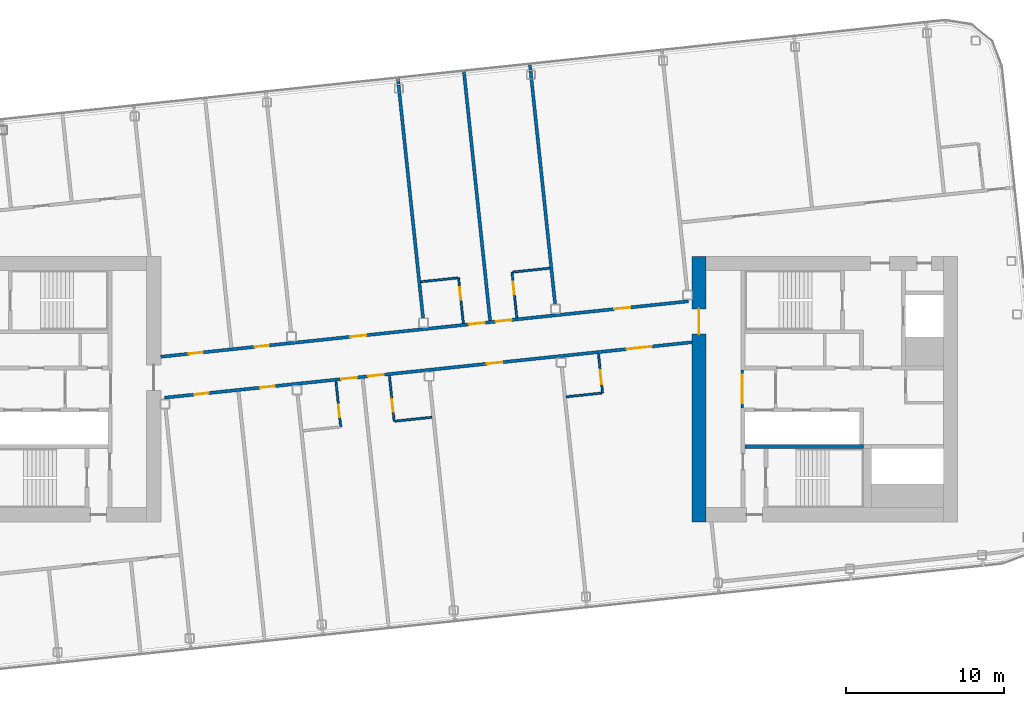
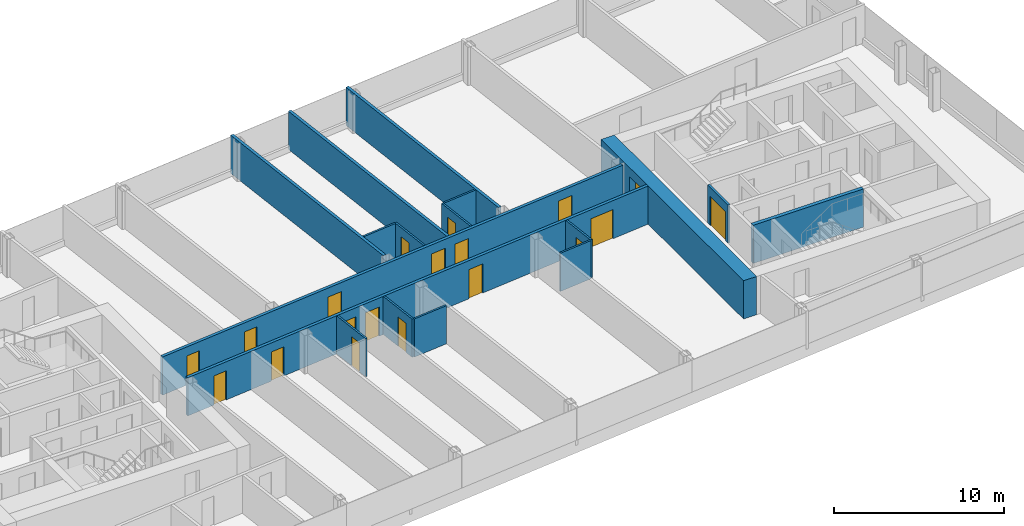
# One storey, part 16 of 27: 19 doors, 17 walls, 19 openings.
"""IFC4 building model written with IfcOpenShell, lengths in metres."""

import ifcopenshell
import ifcopenshell.guid

model = None  # the IFC model being written
_history = None  # IfcOwnerHistory: only IFC2X3 demands one
_inside = {}  # id of a spatial element -> (the spatial element, [elements in it])
_under = {}  # id of a project, library or spatial element -> (it, [spatial elements below it])
_declared = {}  # id of a project -> (the project, [libraries it declares])
_typed = {}  # id of a type object -> (the type object, [elements of that type])
_made_of = {}  # id of a material, layer set ... -> (it, [elements and type objects made of it])


def new_model(schema):
    """Start an empty IFC model of exactly this schema.

    Asked for "IFC4X3", IfcOpenShell would pick the latest addendum, in which some entities
    have other attributes; the version numbers below select the first issue.
    IFC2X3 requires an IfcOwnerHistory on every rooted entity: one is made here for all.
    """
    global model, _history
    if schema == "IFC4X3":
        model = ifcopenshell.file(schema_version=(4, 3, 0, 0))
    else:
        model = ifcopenshell.file(schema=schema)
    _inside.clear()
    _under.clear()
    _declared.clear()
    _typed.clear()
    _made_of.clear()
    _history = None
    if model.schema == "IFC2X3":
        org = make("IfcOrganization", Name="unknown")
        user = make(
            "IfcPersonAndOrganization",
            ThePerson=make("IfcPerson", FamilyName="unknown"),
            TheOrganization=org,
        )
        app = make(
            "IfcApplication",
            ApplicationDeveloper=org,
            Version="unknown",
            ApplicationFullName="unknown",
            ApplicationIdentifier="unknown",
        )
        _history = make(
            "IfcOwnerHistory",
            OwningUser=user,
            OwningApplication=app,
            ChangeAction="ADDED",
            CreationDate=0,
        )
    return model


def make(cls, **values):
    """One entity of the class cls with the attributes given. An attribute that is None is left unset."""
    return model.create_entity(
        cls, **{name: value for name, value in values.items() if value is not None}
    )


def rooted(cls, **values):
    """An entity with a GlobalId (a new one), such as an element, a storey or a relation."""
    return make(cls, GlobalId=ifcopenshell.guid.new(), OwnerHistory=_history, **values)


def si_unit(unit_type, name, prefix=None):
    """IfcSIUnit, for example si_unit("LENGTHUNIT", "METRE", prefix="MILLI")."""
    return make("IfcSIUnit", UnitType=unit_type, Prefix=prefix, Name=name)


def assignment(units):
    """IfcUnitAssignment: the units of a project."""
    return None if units is None else make("IfcUnitAssignment", Units=units)


def point(xyz):
    """IfcCartesianPoint."""
    return None if xyz is None else make("IfcCartesianPoint", Coordinates=xyz)


def direction(xyz):
    """IfcDirection."""
    return None if xyz is None else make("IfcDirection", DirectionRatios=xyz)


def frame(location, z_axis=None, x_axis=None):
    """IfcAxis2Placement3D, a coordinate frame: its origin and axes. An axis left out is left unset."""
    return make(
        "IfcAxis2Placement3D",
        Location=point(location),
        Axis=direction(z_axis),
        RefDirection=direction(x_axis),
    )


def frame_2d(location, x_axis=None):
    """IfcAxis2Placement2D, a coordinate frame in the plane: its origin and x axis."""
    return make(
        "IfcAxis2Placement2D", Location=point(location), RefDirection=direction(x_axis)
    )


def origin():
    """The frame at (0, 0, 0) with its axes left unset."""
    return frame((0.0, 0.0, 0.0))


def place(relative_to, where):
    """IfcLocalPlacement: puts the frame where relative to a parent placement (None: the world)."""
    return make(
        "IfcLocalPlacement", PlacementRelTo=relative_to, RelativePlacement=where
    )


def context(
    kind, dimensions, precision=None, world=None, true_north=None, identifier=None
):
    """IfcGeometricRepresentationContext, for example the 3D "Model" context."""
    return make(
        "IfcGeometricRepresentationContext",
        ContextIdentifier=identifier,
        ContextType=kind,
        CoordinateSpaceDimension=dimensions,
        Precision=precision,
        WorldCoordinateSystem=world,
        TrueNorth=true_north,
    )


def subcontext(parent, identifier, kind, view, scale=None):
    """IfcGeometricRepresentationSubContext, for example "Body" below "Model"."""
    return make(
        "IfcGeometricRepresentationSubContext",
        ContextIdentifier=identifier,
        ContextType=kind,
        ParentContext=parent,
        TargetScale=scale,
        TargetView=view,
    )


def project(units=None, contexts=None):
    """IfcProject with its units and contexts."""
    return rooted(
        "IfcProject",
        Name="project",
        RepresentationContexts=contexts,
        UnitsInContext=assignment(units),
    )


def spatial(cls, under=None, at=None, **own):
    """A site, building, storey or space (cls), placed at a placement, below another one or the project."""
    s = rooted(cls, ObjectPlacement=at, **own)
    if under is not None:
        _under.setdefault(under.id(), (under, []))[1].append(s)
    return s


def profile(cls, at=None, kind="AREA", **sizes):
    """A parametric profile (cls). Its sizes go by their IFC names, for example OverallWidth=200.0."""
    return make(cls, ProfileType=kind, Position=at, **sizes)


def rectangle(**sizes):
    """IfcRectangleProfileDef."""
    return profile("IfcRectangleProfileDef", **sizes)


def extrude(swept, where, along, depth):
    """IfcExtrudedAreaSolid: the profile swept, set in the frame where, extruded along a direction by depth."""
    return make(
        "IfcExtrudedAreaSolid",
        SweptArea=swept,
        Position=where,
        ExtrudedDirection=direction(along),
        Depth=depth,
    )


def shape(context_of_items, identifier, shape_type, items):
    """IfcShapeRepresentation: the items that make up one representation, for example the "Body"."""
    return make(
        "IfcShapeRepresentation",
        ContextOfItems=context_of_items,
        RepresentationIdentifier=identifier,
        RepresentationType=shape_type,
        Items=items,
    )


def material(Name=None, Category=None):
    """IfcMaterial."""
    return make("IfcMaterial", Name=Name, Category=Category)


def layer(
    of_material, thickness, ventilated=None, Name=None, Category=None, Priority=None
):
    """IfcMaterialLayer: one layer of a wall or slab, of a material (None: an air gap)."""
    return make(
        "IfcMaterialLayer",
        Material=of_material,
        LayerThickness=thickness,
        IsVentilated=ventilated,
        Name=Name,
        Category=Category,
        Priority=Priority,
    )


def layer_set(layers, Name=None):
    """IfcMaterialLayerSet."""
    return make("IfcMaterialLayerSet", MaterialLayers=layers, LayerSetName=Name)


def made_of(thing, what):
    """Note that an element or type object is made of a material, layer set ...; save() writes the relation."""
    if what is not None:
        _made_of.setdefault(what.id(), (what, []))[1].append(thing)
    return thing


def type_object(cls, material=None, **own):
    """A type object (cls), such as IfcWallType, which elements share."""
    return made_of(rooted(cls, **own), material)


def element(
    cls,
    number,
    at=None,
    inside=None,
    cuts=None,
    type_object=None,
    material=None,
    context=None,
    identifier="Body",
    shape_type=None,
    held_by="IfcProductDefinitionShape",
    body=None,
    shapes=None,
    **own,
):
    """One element of the class cls, such as IfcWall. Its Tag is "e" and its number.

    at: its placement. inside: the storey or other place that contains it. cuts: it is an
    opening in that element (IfcRelVoidsElement). A single representation is given by context,
    identifier, shape_type and body (its items); several are given by shapes. held_by: the class
    of the entity that holds the representations. save() writes the other relations.
    """
    e = rooted(cls, Tag="e%d" % number, ObjectPlacement=at, **own)
    if body is not None:
        shapes = [shape(context, identifier, shape_type, body)]
    if shapes is not None:
        e.Representation = make(held_by, Representations=shapes)
    if inside is not None:
        _inside.setdefault(inside.id(), (inside, []))[1].append(e)
    if cuts is not None:
        rooted(
            "IfcRelVoidsElement", RelatingBuildingElement=cuts, RelatedOpeningElement=e
        )
    if type_object is not None:
        _typed.setdefault(type_object.id(), (type_object, []))[1].append(e)
    return made_of(e, material)


def fill(opening, filler):
    """IfcRelFillsElement: the door or window that sits in an opening."""
    return rooted(
        "IfcRelFillsElement",
        RelatingOpeningElement=opening,
        RelatedBuildingElement=filler,
    )


def aggregate(whole, parts):
    """IfcRelAggregates: a whole, such as a stair, and the parts it consists of."""
    return rooted("IfcRelAggregates", RelatingObject=whole, RelatedObjects=parts)


def save(model, path):
    """Write the relations noted so far, then the file.

    IfcRelAggregates (storeys below a building ...), IfcRelContainedInSpatialStructure (elements
    in a storey), IfcRelDefinesByType, IfcRelAssociatesMaterial and IfcRelDeclares: one each for
    every whole, place, type object, material and project.
    """
    for whole, parts in _under.values():
        aggregate(whole, parts)
    for where, things in _inside.values():
        rooted(
            "IfcRelContainedInSpatialStructure",
            RelatedElements=things,
            RelatingStructure=where,
        )
    for kind, things in _typed.values():
        rooted("IfcRelDefinesByType", RelatedObjects=things, RelatingType=kind)
    for what, things in _made_of.values():
        rooted("IfcRelAssociatesMaterial", RelatedObjects=things, RelatingMaterial=what)
    for by, libraries in _declared.values():
        rooted("IfcRelDeclares", RelatingContext=by, RelatedDefinitions=libraries)
    model.write(path)


model = new_model("IFC4")

# Units and contexts
model_context = context("Model", 3, precision=1e-05, world=origin(), true_north=direction((0.0, 1.0)))
body_context = subcontext(model_context, "Body", "Model", "MODEL_VIEW")
ifc_project = project(units=[si_unit("LENGTHUNIT", "METRE"), si_unit("AREAUNIT", "SQUARE_METRE"), si_unit("VOLUMEUNIT", "CUBIC_METRE"), si_unit("PLANEANGLEUNIT", "RADIAN"), si_unit("MASSUNIT", "GRAM", prefix="KILO")], contexts=[model_context])

# Site, building, storey
site_placement = place(None, origin())
site = spatial("IfcSite", under=ifc_project, at=site_placement, CompositionType="ELEMENT")
building_placement = place(site_placement, origin())
building = spatial("IfcBuilding", under=site, at=building_placement, Name="Hakoniwa Tower and Hamabe Station Hall", CompositionType="ELEMENT")
storey_placement = place(building_placement, frame((0.0, 0.0, 242.199951171875)))
storey = spatial("IfcBuildingStorey", under=building, at=storey_placement, Name="L68", CompositionType="ELEMENT", Elevation=242.199951171875)

# Walls
ifc_material_1 = material(Name="Gypsum board partition", Category="gypsum")
ifc_layer_1 = layer(ifc_material_1, 0.125)
ifc_layer_set_1 = layer_set([ifc_layer_1], Name="Bathroom Partition 125")
wall_type_1 = type_object("IfcWallType", Name="Bathroom Partition 125", PredefinedType="PARTITIONING", material=ifc_layer_set_1)
for number, where, z_axis, x_axis, name in (
    (1, (-1.974609375, -2.03125, 0.0), (0.0, 0.0, 1.0), (0.994519751088, 0.104548862722, 0.0), "GW-L68-004"),
    (2, (-0.35009765625, 6.786865234375, 0.0), (0.0, 0.0, 1.0), (0.994519751088, 0.104548862722, 0.0), "GW-L68-008"),
    (3, (5.48046875, 7.399658203125, 0.0), (0.0, 0.0, 1.0), (0.994519751088, 0.104548862722, 0.0), "GW-L68-009"),
):
    element("IfcWall", number, at=place(storey_placement, frame(where, z_axis=z_axis, x_axis=x_axis)), inside=storey, type_object=wall_type_1, Name=name, PredefinedType="PARTITIONING", context=body_context, shape_type="SweptSolid", body=[
        extrude(rectangle(XDim=2.33740234375, YDim=0.125, at=frame_2d((1.168701171875, 0.0))), origin(), (0.0, 0.0, 1.0), 2.75),
    ])

# Wall, opening, door
wall_1_placement = place(storey_placement, frame((-5.418212890625, -2.39306640625, 0.0), z_axis=(0.0, 0.0, 1.0), x_axis=(-0.104562076147, 0.994518361938, 0.0)))
wall_1 = element("IfcWall", 4, at=wall_1_placement, inside=storey, type_object=wall_type_1, Name="GW-L68-028", PredefinedType="PARTITIONING", context=body_context, shape_type="SweptSolid", body=[
    extrude(rectangle(XDim=2.89990234375, YDim=0.125, at=frame_2d((1.449951171875, 0.0))), origin(), (0.0, 0.0, 1.0), 2.75),
])
opening_1_placement = place(wall_1_placement, frame((0.60009765625, 0.0, 0.0)))
opening_1 = element("IfcOpeningElement", 5, at=opening_1_placement, cuts=wall_1, Name="Opening GD-G5B0-26", PredefinedType="OPENING", context=body_context, shape_type="SweptSolid", body=[
    extrude(rectangle(XDim=0.800048828125, YDim=2.10009765625, at=frame_2d((0.39990234375, 1.050048828125))), frame((0.0, 0.072509765625, 0.0), z_axis=(0.0, -1.0, 0.0), x_axis=(1.0, 0.0, 0.0)), (0.0, 0.0, 1.0), 0.14501953125),
])
ifc_material_2 = material(Name="Timber door leaf", Category="wood")
door_type_1 = type_object("IfcDoorType", Name="Bathroom Door 800", OperationType="SINGLE_SWING_LEFT", PredefinedType="DOOR", material=ifc_material_2)
door_1_placement = place(opening_1_placement, origin())
door_1 = element("IfcDoor", 6, at=door_1_placement, inside=storey, type_object=door_type_1, Name="Door GD-G5B0-26", OperationType="SINGLE_SWING_RIGHT", OverallHeight=2.10009765625, OverallWidth=0.800048828125, PredefinedType="DOOR", context=body_context, shape_type="SweptSolid", body=[
    extrude(rectangle(XDim=0.800048828125, YDim=2.10009765625, at=frame_2d((0.39990234375, 1.050048828125))), frame((0.0, 0.02490234375, 0.0), z_axis=(0.0, -1.0, 0.0), x_axis=(1.0, 0.0, 0.0)), (0.0, 0.0, 1.0), 0.050048828125),
])
fill(opening_1, door_1)

wall_2_placement = place(storey_placement, frame((-2.036865234375, -2.037841796875, 0.0), z_axis=(0.0, 0.0, 1.0), x_axis=(-0.104470059912, 0.994528032074, 0.0)))
wall_2 = element("IfcWall", 7, at=wall_2_placement, inside=storey, type_object=wall_type_1, Name="GW-L68-030", PredefinedType="PARTITIONING", context=body_context, shape_type="SweptSolid", body=[
    extrude(rectangle(XDim=2.900146484375, YDim=0.125, at=frame_2d((1.4501953125, 0.0))), origin(), (0.0, 0.0, 1.0), 2.75),
])
opening_2_placement = place(wall_2_placement, frame((0.60009765625, 0.0, 0.0)))
opening_2 = element("IfcOpeningElement", 8, at=opening_2_placement, cuts=wall_2, Name="Opening GD-G5B0-27", PredefinedType="OPENING", context=body_context, shape_type="SweptSolid", body=[
    extrude(rectangle(XDim=0.800048828125, YDim=2.10009765625, at=frame_2d((0.39990234375, 1.050048828125))), frame((0.0, 0.072509765625, 0.0), z_axis=(0.0, -1.0, 0.0), x_axis=(1.0, 0.0, 0.0)), (0.0, 0.0, 1.0), 0.14501953125),
])
door_2_placement = place(opening_2_placement, origin())
door_2 = element("IfcDoor", 9, at=door_2_placement, inside=storey, type_object=door_type_1, Name="Door GD-G5B0-27", OperationType="SINGLE_SWING_LEFT", OverallHeight=2.10009765625, OverallWidth=0.800048828125, PredefinedType="DOOR", context=body_context, shape_type="SweptSolid", body=[
    extrude(rectangle(XDim=0.800048828125, YDim=2.10009765625, at=frame_2d((0.39990234375, 1.050048828125))), frame((0.0, 0.02490234375, 0.0), z_axis=(0.0, -1.0, 0.0), x_axis=(1.0, 0.0, 0.0)), (0.0, 0.0, 1.0), 0.050048828125),
])
fill(opening_2, door_2)

wall_3_placement = place(storey_placement, frame((2.33984375, 4.153564453125, 0.0), z_axis=(0.0, 0.0, 1.0), x_axis=(-0.104470059912, 0.994528032074, 0.0)))
wall_3 = element("IfcWall", 10, at=wall_3_placement, inside=storey, type_object=wall_type_1, Name="GW-L68-033", PredefinedType="PARTITIONING", context=body_context, shape_type="SweptSolid", body=[
    extrude(rectangle(XDim=2.900146484375, YDim=0.125, at=frame_2d((1.4501953125, 0.0))), origin(), (0.0, 0.0, 1.0), 2.75),
])
opening_3_placement = place(wall_3_placement, frame((1.5, 0.0, 0.0)))
opening_3 = element("IfcOpeningElement", 11, at=opening_3_placement, cuts=wall_3, Name="Opening GD-G5B0-28", PredefinedType="OPENING", context=body_context, shape_type="SweptSolid", body=[
    extrude(rectangle(XDim=0.800048828125, YDim=2.10009765625, at=frame_2d((0.39990234375, 1.050048828125))), frame((0.0, 0.072509765625, 0.0), z_axis=(0.0, -1.0, 0.0), x_axis=(1.0, 0.0, 0.0)), (0.0, 0.0, 1.0), 0.14501953125),
])
door_3_placement = place(opening_3_placement, origin())
door_3 = element("IfcDoor", 12, at=door_3_placement, inside=storey, type_object=door_type_1, Name="Door GD-G5B0-28", OperationType="SINGLE_SWING_LEFT", OverallHeight=2.10009765625, OverallWidth=0.800048828125, PredefinedType="DOOR", context=body_context, shape_type="SweptSolid", body=[
    extrude(rectangle(XDim=0.800048828125, YDim=2.10009765625, at=frame_2d((0.39990234375, 1.050048828125))), frame((0.0, 0.02490234375, 0.0), z_axis=(0.0, -1.0, 0.0), x_axis=(1.0, 0.0, 0.0)), (0.0, 0.0, 1.0), 0.050048828125),
])
fill(opening_3, door_3)

wall_4_placement = place(storey_placement, frame((5.721435546875, 4.509033203125, 0.0), z_axis=(0.0, 0.0, 1.0), x_axis=(-0.104562076147, 0.994518361938, 0.0)))
wall_4 = element("IfcWall", 13, at=wall_4_placement, inside=storey, type_object=wall_type_1, Name="GW-L68-035", PredefinedType="PARTITIONING", context=body_context, shape_type="SweptSolid", body=[
    extrude(rectangle(XDim=2.89990234375, YDim=0.125, at=frame_2d((1.449951171875, 0.0))), origin(), (0.0, 0.0, 1.0), 2.75),
])
opening_4_placement = place(wall_4_placement, frame((1.5, 0.0, 0.0)))
opening_4 = element("IfcOpeningElement", 14, at=opening_4_placement, cuts=wall_4, Name="Opening GD-G5B0-29", PredefinedType="OPENING", context=body_context, shape_type="SweptSolid", body=[
    extrude(rectangle(XDim=0.800048828125, YDim=2.10009765625, at=frame_2d((0.39990234375, 1.050048828125))), frame((0.0, 0.072509765625, 0.0), z_axis=(0.0, -1.0, 0.0), x_axis=(1.0, 0.0, 0.0)), (0.0, 0.0, 1.0), 0.14501953125),
])
door_4_placement = place(opening_4_placement, origin())
door_4 = element("IfcDoor", 15, at=door_4_placement, inside=storey, type_object=door_type_1, Name="Door GD-G5B0-29", OperationType="SINGLE_SWING_RIGHT", OverallHeight=2.10009765625, OverallWidth=0.800048828125, PredefinedType="DOOR", context=body_context, shape_type="SweptSolid", body=[
    extrude(rectangle(XDim=0.800048828125, YDim=2.10009765625, at=frame_2d((0.39990234375, 1.050048828125))), frame((0.0, 0.02490234375, 0.0), z_axis=(0.0, -1.0, 0.0), x_axis=(1.0, 0.0, 0.0)), (0.0, 0.0, 1.0), 0.050048828125),
])
fill(opening_4, door_4)

ifc_material_3 = material(Name="Gypsum board partition")
ifc_layer_2 = layer(ifc_material_3, 0.14990234375)
ifc_layer_set_2 = layer_set([ifc_layer_2], Name="CORE PARTITION 150 EI 60")
wall_type_2 = type_object("IfcWallType", Name="CORE PARTITION 150 EI 60", PredefinedType="PARTITIONING", material=ifc_layer_set_2)
wall_5_placement = place(storey_placement, frame((19.97509765625, -1.199951171875, 0.0), z_axis=(0.0, 0.0, 1.0), x_axis=(0.0, 1.0, 0.0)))
wall_5 = element("IfcWall", 16, at=wall_5_placement, inside=storey, type_object=wall_type_2, Name="Core partition PL0 east", PredefinedType="PARTITIONING", context=body_context, shape_type="SweptSolid", body=[
    extrude(rectangle(XDim=2.39990234375, YDim=0.14990234375, at=frame_2d((1.199951171875, 0.0))), origin(), (0.0, 0.0, 1.0), 2.75),
])
opening_5_placement = place(wall_5_placement, frame((0.300048828125, 0.0, 0.0)))
opening_5 = element("IfcOpeningElement", 17, at=opening_5_placement, cuts=wall_5, Name="Opening CD-E-LP0-18", PredefinedType="OPENING", context=body_context, shape_type="SweptSolid", body=[
    extrude(rectangle(XDim=1.800048828125, YDim=2.10009765625, at=frame_2d((0.89990234375, 1.050048828125))), frame((0.0, 0.0849609375, 0.0), z_axis=(0.0, -1.0, 0.0), x_axis=(1.0, 0.0, 0.0)), (0.0, 0.0, 1.0), 0.169921875),
])
ifc_material_4 = material(Name="Steel fire door", Category="steel")
door_type_2 = type_object("IfcDoorType", Name="CORE DOOR 1800 FD60", OperationType="DOUBLE_DOOR_SINGLE_SWING", PredefinedType="DOOR", material=ifc_material_4)
door_5_placement = place(opening_5_placement, origin())
door_5 = element("IfcDoor", 18, at=door_5_placement, inside=storey, type_object=door_type_2, Name="Lift lobby partition door", OperationType="DOUBLE_DOOR_SINGLE_SWING", OverallHeight=2.10009765625, OverallWidth=1.800048828125, PredefinedType="DOOR", context=body_context, shape_type="SweptSolid", body=[
    extrude(rectangle(XDim=1.800048828125, YDim=2.10009765625, at=frame_2d((0.89990234375, 1.050048828125))), frame((0.0, 0.02490234375, 0.0), z_axis=(0.0, -1.0, 0.0), x_axis=(1.0, 0.0, 0.0)), (0.0, 0.0, 1.0), 0.050048828125),
])
fill(opening_5, door_5)

ifc_material_5 = material(Name="Concrete C60", Category="concrete")
ifc_layer_3 = layer(ifc_material_5, 0.89990234375)
ifc_layer_set_3 = layer_set([ifc_layer_3], Name="CORE WALL 900 C60")
wall_type_3 = type_object("IfcWallType", Name="CORE WALL 900 C60", PredefinedType="SHEAR", material=ifc_layer_set_3)
wall_6_placement = place(storey_placement, frame((17.25, -8.39990234375, 0.0), z_axis=(0.0, 0.0, 1.0), x_axis=(0.0, 1.0, 0.0)))
wall_6 = element("IfcWall", 19, at=wall_6_placement, inside=storey, type_object=wall_type_3, Name="Core wall INNER east", PredefinedType="SHEAR", context=body_context, shape_type="SweptSolid", body=[
    extrude(rectangle(XDim=16.7998046875, YDim=0.89990234375, at=frame_2d((8.39990234375, 0.0))), origin(), (0.0, 0.0, 1.0), 2.75),
])
opening_6_placement = place(wall_6_placement, frame((11.87890625, 0.0, 0.0)))
opening_6 = element("IfcOpeningElement", 20, at=opening_6_placement, cuts=wall_6, Name="Opening CD-E-IN1-16", PredefinedType="OPENING", context=body_context, shape_type="SweptSolid", body=[
    extrude(rectangle(XDim=1.60009765625, YDim=2.10009765625, at=frame_2d((0.800048828125, 1.050048828125))), frame((0.0, 0.4599609375, 0.0), z_axis=(0.0, -1.0, 0.0), x_axis=(1.0, 0.0, 0.0)), (0.0, 0.0, 1.0), 0.919921875),
])
ifc_material_6 = material(Name="Steel fire door", Category="steel")
door_type_3 = type_object("IfcDoorType", Name="CORE DOOR 1600 FD60", OperationType="DOUBLE_DOOR_SINGLE_SWING", PredefinedType="DOOR", material=ifc_material_6)
door_6_placement = place(opening_6_placement, origin())
door_6 = element("IfcDoor", 21, at=door_6_placement, inside=storey, type_object=door_type_3, Name="Lift lobby door", OperationType="DOUBLE_DOOR_SINGLE_SWING", OverallHeight=2.10009765625, OverallWidth=1.60009765625, PredefinedType="DOOR", context=body_context, shape_type="SweptSolid", body=[
    extrude(rectangle(XDim=1.60009765625, YDim=2.10009765625, at=frame_2d((0.800048828125, 1.050048828125))), frame((0.0, 0.02490234375, 0.0), z_axis=(0.0, -1.0, 0.0), x_axis=(1.0, 0.0, 0.0)), (0.0, 0.0, 1.0), 0.050048828125),
])
fill(opening_6, door_6)

# Wall
ifc_material_7 = material(Name="Concrete C60", Category="concrete")
ifc_layer_4 = layer(ifc_material_7, 0.25)
ifc_layer_set_4 = layer_set([ifc_layer_4], Name="CORE WEB WALL 250 C60")
wall_type_4 = type_object("IfcWallType", Name="CORE WEB WALL 250 C60", PredefinedType="SHEAR", material=ifc_layer_set_4)
wall_7_placement = place(storey_placement, frame((20.14990234375, -3.625, 0.0), z_axis=(0.0, 0.0, 1.0), x_axis=(1.0, 0.0, 0.0)))
element("IfcWall", 22, at=wall_7_placement, inside=storey, type_object=wall_type_4, Name="Core wall SR east", PredefinedType="SHEAR", context=body_context, shape_type="SweptSolid", body=[
    extrude(rectangle(XDim=7.5, YDim=0.25, at=frame_2d((3.75, 0.0))), origin(), (0.0, 0.0, 1.0), 2.75),
])

# Wall, openings, doors
ifc_material_8 = material(Name="Fire-rated gypsum board partition", Category="gypsum")
ifc_layer_5 = layer(ifc_material_8, 0.199951171875)
ifc_layer_set_5 = layer_set([ifc_layer_5], Name="Corridor Wall 200")
wall_type_5 = type_object("IfcWallType", Name="Corridor Wall 200", PredefinedType="PARTITIONING", material=ifc_layer_set_5)
wall_8_placement = place(storey_placement, frame((-16.572021484375, -0.549072265625, 0.0), z_axis=(0.0, 0.0, 1.0), x_axis=(0.994521146831, 0.104535584879, 0.0)))
wall_8 = element("IfcWall", 23, at=wall_8_placement, inside=storey, type_object=wall_type_5, Name="GW-L68-006", PredefinedType="PARTITIONING", context=body_context, shape_type="SweptSolid", body=[
    extrude(rectangle(XDim=33.560791015625, YDim=0.199951171875, at=frame_2d((16.7802734375, 0.0))), origin(), (0.0, 0.0, 1.0), 2.75),
])
opening_7_placement = place(wall_8_placement, frame((1.89990234375, 0.0, 0.0)))
opening_7 = element("IfcOpeningElement", 24, at=opening_7_placement, cuts=wall_8, Name="Opening GD-G5B0-05", PredefinedType="OPENING", context=body_context, shape_type="SweptSolid", body=[
    extrude(rectangle(XDim=0.89990234375, YDim=2.10009765625, at=frame_2d((0.449951171875, 1.050048828125))), frame((0.0, 0.10986328125, 0.0), z_axis=(0.0, -1.0, 0.0), x_axis=(1.0, 0.0, 0.0)), (0.0, 0.0, 1.0), 0.219970703125),
])
opening_8_placement = place(wall_8_placement, frame((6.10009765625, 0.0, 0.0)))
opening_8 = element("IfcOpeningElement", 25, at=opening_8_placement, cuts=wall_8, Name="Opening GD-G5B0-06", PredefinedType="OPENING", context=body_context, shape_type="SweptSolid", body=[
    extrude(rectangle(XDim=0.89990234375, YDim=2.10009765625, at=frame_2d((0.449951171875, 1.050048828125))), frame((0.0, 0.10986328125, 0.0), z_axis=(0.0, -1.0, 0.0), x_axis=(1.0, 0.0, 0.0)), (0.0, 0.0, 1.0), 0.219970703125),
])
opening_9_placement = place(wall_8_placement, frame((11.25, 0.0, 0.0)))
opening_9 = element("IfcOpeningElement", 26, at=opening_9_placement, cuts=wall_8, Name="Opening GD-G5B0-07", PredefinedType="OPENING", context=body_context, shape_type="SweptSolid", body=[
    extrude(rectangle(XDim=1.0, YDim=2.10009765625, at=frame_2d((0.5, 1.050048828125))), frame((0.0, 0.10986328125, 0.0), z_axis=(0.0, -1.0, 0.0), x_axis=(1.0, 0.0, 0.0)), (0.0, 0.0, 1.0), 0.219970703125),
])
opening_10_placement = place(wall_8_placement, frame((12.949951171875, 0.0, 0.0)))
opening_10 = element("IfcOpeningElement", 27, at=opening_10_placement, cuts=wall_8, Name="Opening GD-G5B0-08", PredefinedType="OPENING", context=body_context, shape_type="SweptSolid", body=[
    extrude(rectangle(XDim=1.0, YDim=2.10009765625, at=frame_2d((0.5, 1.050048828125))), frame((0.0, 0.10986328125, 0.0), z_axis=(0.0, -1.0, 0.0), x_axis=(1.0, 0.0, 0.0)), (0.0, 0.0, 1.0), 0.219970703125),
])
opening_11_placement = place(wall_8_placement, frame((20.5, 0.0, 0.0)))
opening_11 = element("IfcOpeningElement", 28, at=opening_11_placement, cuts=wall_8, Name="Opening GD-G5B0-09", PredefinedType="OPENING", context=body_context, shape_type="SweptSolid", body=[
    extrude(rectangle(XDim=1.0, YDim=2.10009765625, at=frame_2d((0.5, 1.050048828125))), frame((0.0, 0.10986328125, 0.0), z_axis=(0.0, -1.0, 0.0), x_axis=(1.0, 0.0, 0.0)), (0.0, 0.0, 1.0), 0.219970703125),
])
opening_12_placement = place(wall_8_placement, frame((29.39990234375, 0.0, 0.0)))
opening_12 = element("IfcOpeningElement", 29, at=opening_12_placement, cuts=wall_8, Name="Opening GD-G5B0-10", PredefinedType="OPENING", context=body_context, shape_type="SweptSolid", body=[
    extrude(rectangle(XDim=1.60009765625, YDim=2.10009765625, at=frame_2d((0.800048828125, 1.050048828125))), frame((0.0, 0.10986328125, 0.0), z_axis=(0.0, -1.0, 0.0), x_axis=(1.0, 0.0, 0.0)), (0.0, 0.0, 1.0), 0.219970703125),
])
ifc_material_9 = material(Name="Timber door leaf", Category="wood")
door_type_4 = type_object("IfcDoorType", Name="Double Door 1600", OperationType="DOUBLE_DOOR_SINGLE_SWING", PredefinedType="DOOR", material=ifc_material_9)
door_7_placement = place(opening_12_placement, origin())
door_7 = element("IfcDoor", 30, at=door_7_placement, inside=storey, type_object=door_type_4, Name="Door GD-G5B0-10", OperationType="DOUBLE_DOOR_SINGLE_SWING", OverallHeight=2.10009765625, OverallWidth=1.60009765625, PredefinedType="DOOR", context=body_context, shape_type="SweptSolid", body=[
    extrude(rectangle(XDim=1.60009765625, YDim=2.10009765625, at=frame_2d((0.800048828125, 1.050048828125))), frame((0.0, 0.02490234375, 0.0), z_axis=(0.0, -1.0, 0.0), x_axis=(1.0, 0.0, 0.0)), (0.0, 0.0, 1.0), 0.050048828125),
])
fill(opening_12, door_7)
ifc_material_10 = material(Name="Timber door leaf", Category="wood")
door_type_5 = type_object("IfcDoorType", Name="Guest Entrance Door 1000", OperationType="SINGLE_SWING_LEFT", PredefinedType="DOOR", material=ifc_material_10)
door_8_placement = place(opening_9_placement, origin())
door_8 = element("IfcDoor", 31, at=door_8_placement, inside=storey, type_object=door_type_5, Name="Door GD-G5B0-07", OperationType="SINGLE_SWING_LEFT", OverallHeight=2.10009765625, OverallWidth=1.0, PredefinedType="DOOR", context=body_context, shape_type="SweptSolid", body=[
    extrude(rectangle(XDim=1.0, YDim=2.10009765625, at=frame_2d((0.5, 1.050048828125))), frame((0.0, 0.02490234375, 0.0), z_axis=(0.0, -1.0, 0.0), x_axis=(1.0, 0.0, 0.0)), (0.0, 0.0, 1.0), 0.050048828125),
])
fill(opening_9, door_8)
door_9_placement = place(opening_10_placement, origin())
door_9 = element("IfcDoor", 32, at=door_9_placement, inside=storey, type_object=door_type_5, Name="Door GD-G5B0-08", OperationType="SINGLE_SWING_RIGHT", OverallHeight=2.10009765625, OverallWidth=1.0, PredefinedType="DOOR", context=body_context, shape_type="SweptSolid", body=[
    extrude(rectangle(XDim=1.0, YDim=2.10009765625, at=frame_2d((0.5, 1.050048828125))), frame((0.0, 0.02490234375, 0.0), z_axis=(0.0, -1.0, 0.0), x_axis=(1.0, 0.0, 0.0)), (0.0, 0.0, 1.0), 0.050048828125),
])
fill(opening_10, door_9)
door_10_placement = place(opening_11_placement, origin())
door_10 = element("IfcDoor", 33, at=door_10_placement, inside=storey, type_object=door_type_5, Name="Door GD-G5B0-09", OperationType="SINGLE_SWING_LEFT", OverallHeight=2.10009765625, OverallWidth=1.0, PredefinedType="DOOR", context=body_context, shape_type="SweptSolid", body=[
    extrude(rectangle(XDim=1.0, YDim=2.10009765625, at=frame_2d((0.5, 1.050048828125))), frame((0.0, 0.02490234375, 0.0), z_axis=(0.0, -1.0, 0.0), x_axis=(1.0, 0.0, 0.0)), (0.0, 0.0, 1.0), 0.050048828125),
])
fill(opening_11, door_10)
ifc_material_11 = material(Name="Timber door leaf", Category="wood")
door_type_6 = type_object("IfcDoorType", Name="Service Door 900", OperationType="SINGLE_SWING_LEFT", PredefinedType="DOOR", material=ifc_material_11)
door_11_placement = place(opening_7_placement, origin())
door_11 = element("IfcDoor", 34, at=door_11_placement, inside=storey, type_object=door_type_6, Name="Door GD-G5B0-05", OperationType="SINGLE_SWING_LEFT", OverallHeight=2.10009765625, OverallWidth=0.89990234375, PredefinedType="DOOR", context=body_context, shape_type="SweptSolid", body=[
    extrude(rectangle(XDim=0.89990234375, YDim=2.10009765625, at=frame_2d((0.449951171875, 1.050048828125))), frame((0.0, 0.02490234375, 0.0), z_axis=(0.0, -1.0, 0.0), x_axis=(1.0, 0.0, 0.0)), (0.0, 0.0, 1.0), 0.050048828125),
])
fill(opening_7, door_11)
door_12_placement = place(opening_8_placement, origin())
door_12 = element("IfcDoor", 35, at=door_12_placement, inside=storey, type_object=door_type_6, Name="Door GD-G5B0-06", OperationType="SINGLE_SWING_LEFT", OverallHeight=2.10009765625, OverallWidth=0.89990234375, PredefinedType="DOOR", context=body_context, shape_type="SweptSolid", body=[
    extrude(rectangle(XDim=0.89990234375, YDim=2.10009765625, at=frame_2d((0.449951171875, 1.050048828125))), frame((0.0, 0.02490234375, 0.0), z_axis=(0.0, -1.0, 0.0), x_axis=(1.0, 0.0, 0.0)), (0.0, 0.0, 1.0), 0.050048828125),
])
fill(opening_8, door_12)

wall_9_placement = place(storey_placement, frame((-16.804931640625, 2.040771484375, 0.0), z_axis=(0.0, 0.0, 1.0), x_axis=(0.994521146831, 0.104535584879, 0.0)))
wall_9 = element("IfcWall", 36, at=wall_9_placement, inside=storey, type_object=wall_type_5, Name="GW-L68-007", PredefinedType="PARTITIONING", context=body_context, shape_type="SweptSolid", body=[
    extrude(rectangle(XDim=33.560791015625, YDim=0.199951171875, at=frame_2d((16.7802734375, 0.0))), origin(), (0.0, 0.0, 1.0), 2.75),
])
opening_13_placement = place(wall_9_placement, frame((1.781005859375, 0.0, 0.0)))
opening_13 = element("IfcOpeningElement", 37, at=opening_13_placement, cuts=wall_9, Name="Opening GD-G5B0-11", PredefinedType="OPENING", context=body_context, shape_type="SweptSolid", body=[
    extrude(rectangle(XDim=0.89990234375, YDim=2.10009765625, at=frame_2d((0.449951171875, 1.050048828125))), frame((0.0, 0.10986328125, 0.0), z_axis=(0.0, -1.0, 0.0), x_axis=(1.0, 0.0, 0.0)), (0.0, 0.0, 1.0), 0.219970703125),
])
opening_14_placement = place(wall_9_placement, frame((5.98095703125, 0.0, 0.0)))
opening_14 = element("IfcOpeningElement", 38, at=opening_14_placement, cuts=wall_9, Name="Opening GD-G5B0-12", PredefinedType="OPENING", context=body_context, shape_type="SweptSolid", body=[
    extrude(rectangle(XDim=0.89990234375, YDim=2.10009765625, at=frame_2d((0.449951171875, 1.050048828125))), frame((0.0, 0.10986328125, 0.0), z_axis=(0.0, -1.0, 0.0), x_axis=(1.0, 0.0, 0.0)), (0.0, 0.0, 1.0), 0.219970703125),
])
opening_15_placement = place(wall_9_placement, frame((12.060791015625, 0.0, 0.0)))
opening_15 = element("IfcOpeningElement", 39, at=opening_15_placement, cuts=wall_9, Name="Opening GD-G5B0-13", PredefinedType="OPENING", context=body_context, shape_type="SweptSolid", body=[
    extrude(rectangle(XDim=1.0, YDim=2.10009765625, at=frame_2d((0.5, 1.050048828125))), frame((0.0, 0.10986328125, 0.0), z_axis=(0.0, -1.0, 0.0), x_axis=(1.0, 0.0, 0.0)), (0.0, 0.0, 1.0), 0.219970703125),
])
opening_16_placement = place(wall_9_placement, frame((19.61083984375, 0.0, 0.0)))
opening_16 = element("IfcOpeningElement", 40, at=opening_16_placement, cuts=wall_9, Name="Opening GD-G5B0-14", PredefinedType="OPENING", context=body_context, shape_type="SweptSolid", body=[
    extrude(rectangle(XDim=1.0, YDim=2.10009765625, at=frame_2d((0.5, 1.050048828125))), frame((0.0, 0.10986328125, 0.0), z_axis=(0.0, -1.0, 0.0), x_axis=(1.0, 0.0, 0.0)), (0.0, 0.0, 1.0), 0.219970703125),
])
opening_17_placement = place(wall_9_placement, frame((21.310791015625, 0.0, 0.0)))
opening_17 = element("IfcOpeningElement", 41, at=opening_17_placement, cuts=wall_9, Name="Opening GD-G5B0-15", PredefinedType="OPENING", context=body_context, shape_type="SweptSolid", body=[
    extrude(rectangle(XDim=1.0, YDim=2.10009765625, at=frame_2d((0.5, 1.050048828125))), frame((0.0, 0.10986328125, 0.0), z_axis=(0.0, -1.0, 0.0), x_axis=(1.0, 0.0, 0.0)), (0.0, 0.0, 1.0), 0.219970703125),
])
opening_18_placement = place(wall_9_placement, frame((28.86083984375, 0.0, 0.0)))
opening_18 = element("IfcOpeningElement", 42, at=opening_18_placement, cuts=wall_9, Name="Opening GD-G5B0-16", PredefinedType="OPENING", context=body_context, shape_type="SweptSolid", body=[
    extrude(rectangle(XDim=1.0, YDim=2.10009765625, at=frame_2d((0.5, 1.050048828125))), frame((0.0, 0.10986328125, 0.0), z_axis=(0.0, -1.0, 0.0), x_axis=(1.0, 0.0, 0.0)), (0.0, 0.0, 1.0), 0.219970703125),
])
door_13_placement = place(opening_15_placement, origin())
door_13 = element("IfcDoor", 43, at=door_13_placement, inside=storey, type_object=door_type_5, Name="Door GD-G5B0-13", OperationType="SINGLE_SWING_LEFT", OverallHeight=2.10009765625, OverallWidth=1.0, PredefinedType="DOOR", context=body_context, shape_type="SweptSolid", body=[
    extrude(rectangle(XDim=1.0, YDim=2.10009765625, at=frame_2d((0.5, 1.050048828125))), frame((0.0, 0.02490234375, 0.0), z_axis=(0.0, -1.0, 0.0), x_axis=(1.0, 0.0, 0.0)), (0.0, 0.0, 1.0), 0.050048828125),
])
fill(opening_15, door_13)
door_14_placement = place(opening_16_placement, origin())
door_14 = element("IfcDoor", 44, at=door_14_placement, inside=storey, type_object=door_type_5, Name="Door GD-G5B0-14", OperationType="SINGLE_SWING_RIGHT", OverallHeight=2.10009765625, OverallWidth=1.0, PredefinedType="DOOR", context=body_context, shape_type="SweptSolid", body=[
    extrude(rectangle(XDim=1.0, YDim=2.10009765625, at=frame_2d((0.5, 1.050048828125))), frame((0.0, 0.02490234375, 0.0), z_axis=(0.0, -1.0, 0.0), x_axis=(1.0, 0.0, 0.0)), (0.0, 0.0, 1.0), 0.050048828125),
])
fill(opening_16, door_14)
door_15_placement = place(opening_17_placement, origin())
door_15 = element("IfcDoor", 45, at=door_15_placement, inside=storey, type_object=door_type_5, Name="Door GD-G5B0-15", OperationType="SINGLE_SWING_LEFT", OverallHeight=2.10009765625, OverallWidth=1.0, PredefinedType="DOOR", context=body_context, shape_type="SweptSolid", body=[
    extrude(rectangle(XDim=1.0, YDim=2.10009765625, at=frame_2d((0.5, 1.050048828125))), frame((0.0, 0.02490234375, 0.0), z_axis=(0.0, -1.0, 0.0), x_axis=(1.0, 0.0, 0.0)), (0.0, 0.0, 1.0), 0.050048828125),
])
fill(opening_17, door_15)
door_16_placement = place(opening_18_placement, origin())
door_16 = element("IfcDoor", 46, at=door_16_placement, inside=storey, type_object=door_type_5, Name="Door GD-G5B0-16", OperationType="SINGLE_SWING_RIGHT", OverallHeight=2.10009765625, OverallWidth=1.0, PredefinedType="DOOR", context=body_context, shape_type="SweptSolid", body=[
    extrude(rectangle(XDim=1.0, YDim=2.10009765625, at=frame_2d((0.5, 1.050048828125))), frame((0.0, 0.02490234375, 0.0), z_axis=(0.0, -1.0, 0.0), x_axis=(1.0, 0.0, 0.0)), (0.0, 0.0, 1.0), 0.050048828125),
])
fill(opening_18, door_16)
door_17_placement = place(opening_13_placement, origin())
door_17 = element("IfcDoor", 47, at=door_17_placement, inside=storey, type_object=door_type_6, Name="Door GD-G5B0-11", OperationType="SINGLE_SWING_LEFT", OverallHeight=2.10009765625, OverallWidth=0.89990234375, PredefinedType="DOOR", context=body_context, shape_type="SweptSolid", body=[
    extrude(rectangle(XDim=0.89990234375, YDim=2.10009765625, at=frame_2d((0.449951171875, 1.050048828125))), frame((0.0, 0.02490234375, 0.0), z_axis=(0.0, -1.0, 0.0), x_axis=(1.0, 0.0, 0.0)), (0.0, 0.0, 1.0), 0.050048828125),
])
fill(opening_13, door_17)
door_18_placement = place(opening_14_placement, origin())
door_18 = element("IfcDoor", 48, at=door_18_placement, inside=storey, type_object=door_type_6, Name="Door GD-G5B0-12", OperationType="SINGLE_SWING_RIGHT", OverallHeight=2.10009765625, OverallWidth=0.89990234375, PredefinedType="DOOR", context=body_context, shape_type="SweptSolid", body=[
    extrude(rectangle(XDim=0.89990234375, YDim=2.10009765625, at=frame_2d((0.449951171875, 1.050048828125))), frame((0.0, 0.02490234375, 0.0), z_axis=(0.0, -1.0, 0.0), x_axis=(1.0, 0.0, 0.0)), (0.0, 0.0, 1.0), 0.050048828125),
])
fill(opening_14, door_18)

# Walls
ifc_material_12 = material(Name="Fire-rated gypsum board partition", Category="gypsum")
ifc_layer_6 = layer(ifc_material_12, 0.199951171875)
ifc_layer_set_6 = layer_set([ifc_layer_6], Name="Party Wall 200")
wall_type_6 = type_object("IfcWallType", Name="Party Wall 200", PredefinedType="PARTITIONING", material=ifc_layer_set_6)
wall_10_placement = place(storey_placement, frame((-0.208251953125, 4.480712890625, 0.0), z_axis=(0.0, 0.0, 1.0), x_axis=(-0.104523729364, 0.99452239291, 0.0)))
element("IfcWall", 49, at=wall_10_placement, inside=storey, type_object=wall_type_6, Name="GW-L68-032", PredefinedType="PARTITIONING", context=body_context, shape_type="SweptSolid", body=[
    extrude(rectangle(XDim=15.308349609375, YDim=0.199951171875, at=frame_2d((7.654296875, 0.0))), origin(), (0.0, 0.0, 1.0), 2.75),
])
wall_11_placement = place(storey_placement, frame((4.03076171875, 4.331298828125, 0.0), z_axis=(0.0, 0.0, 1.0), x_axis=(-0.104534518003, 0.994521258971, 0.0)))
element("IfcWall", 50, at=wall_11_placement, inside=storey, type_object=wall_type_6, Name="GW-L68-034", PredefinedType="PARTITIONING", context=body_context, shape_type="SweptSolid", body=[
    extrude(rectangle(XDim=15.900146484375, YDim=0.199951171875, at=frame_2d((7.9501953125, 0.0))), origin(), (0.0, 0.0, 1.0), 2.75),
])
wall_12_placement = place(storey_placement, frame((8.145751953125, 5.358642578125, 0.0), z_axis=(0.0, 0.0, 1.0), x_axis=(-0.104523729364, 0.99452239291, 0.0)))
element("IfcWall", 51, at=wall_12_placement, inside=storey, type_object=wall_type_6, Name="GW-L68-037", PredefinedType="PARTITIONING", context=body_context, shape_type="SweptSolid", body=[
    extrude(rectangle(XDim=15.308349609375, YDim=0.199951171875, at=frame_2d((7.654296875, 0.0))), origin(), (0.0, 0.0, 1.0), 2.75),
])
ifc_material_13 = material(Name="Gypsum board partition", Category="gypsum")
ifc_layer_7 = layer(ifc_material_13, 0.125)
ifc_layer_set_7 = layer_set([ifc_layer_7], Name="Room Partition 125")
wall_type_7 = type_object("IfcWallType", Name="Room Partition 125", PredefinedType="PARTITIONING", material=ifc_layer_set_7)
wall_13_placement = place(storey_placement, frame((8.861083984375, -0.490234375, 0.0), z_axis=(0.0, 0.0, 1.0), x_axis=(0.99452218011, 0.104525754092, 0.0)))
element("IfcWall", 52, at=wall_13_placement, inside=storey, type_object=wall_type_7, Name="GW-L68-005", PredefinedType="PARTITIONING", context=body_context, shape_type="SweptSolid", body=[
    extrude(rectangle(XDim=2.237548828125, YDim=0.125, at=frame_2d((1.11865234375, 0.0))), origin(), (0.0, 0.0, 1.0), 2.75),
])

# Wall, opening, door
wall_14_placement = place(storey_placement, frame((11.1484375, -0.249755859375, 0.0), z_axis=(0.0, 0.0, 1.0), x_axis=(-0.104491611519, 0.994525767953, 0.0)))
wall_14 = element("IfcWall", 53, at=wall_14_placement, inside=storey, type_object=wall_type_7, Name="GW-L68-038", PredefinedType="PARTITIONING", context=body_context, shape_type="SweptSolid", body=[
    extrude(rectangle(XDim=2.5, YDim=0.125, at=frame_2d((1.25, 0.0))), origin(), (0.0, 0.0, 1.0), 2.75),
])
opening_19_placement = place(wall_14_placement, frame((0.550048828125, 0.0, 0.0)))
opening_19 = element("IfcOpeningElement", 54, at=opening_19_placement, cuts=wall_14, Name="Opening GD-G5B0-30", PredefinedType="OPENING", context=body_context, shape_type="SweptSolid", body=[
    extrude(rectangle(XDim=0.89990234375, YDim=2.10009765625, at=frame_2d((0.449951171875, 1.050048828125))), frame((0.0, 0.072509765625, 0.0), z_axis=(0.0, -1.0, 0.0), x_axis=(1.0, 0.0, 0.0)), (0.0, 0.0, 1.0), 0.14501953125),
])
ifc_material_14 = material(Name="Timber door leaf", Category="wood")
door_type_7 = type_object("IfcDoorType", Name="Suite Interior Door 900", OperationType="SINGLE_SWING_LEFT", PredefinedType="DOOR", material=ifc_material_14)
door_19_placement = place(opening_19_placement, origin())
door_19 = element("IfcDoor", 55, at=door_19_placement, inside=storey, type_object=door_type_7, Name="Door GD-G5B0-30", OperationType="SINGLE_SWING_RIGHT", OverallHeight=2.10009765625, OverallWidth=0.89990234375, PredefinedType="DOOR", context=body_context, shape_type="SweptSolid", body=[
    extrude(rectangle(XDim=0.89990234375, YDim=2.10009765625, at=frame_2d((0.449951171875, 1.050048828125))), frame((0.0, 0.02490234375, 0.0), z_axis=(0.0, -1.0, 0.0), x_axis=(1.0, 0.0, 0.0)), (0.0, 0.0, 1.0), 0.050048828125),
])
fill(opening_19, door_19)

save(model, "model.ifc")
